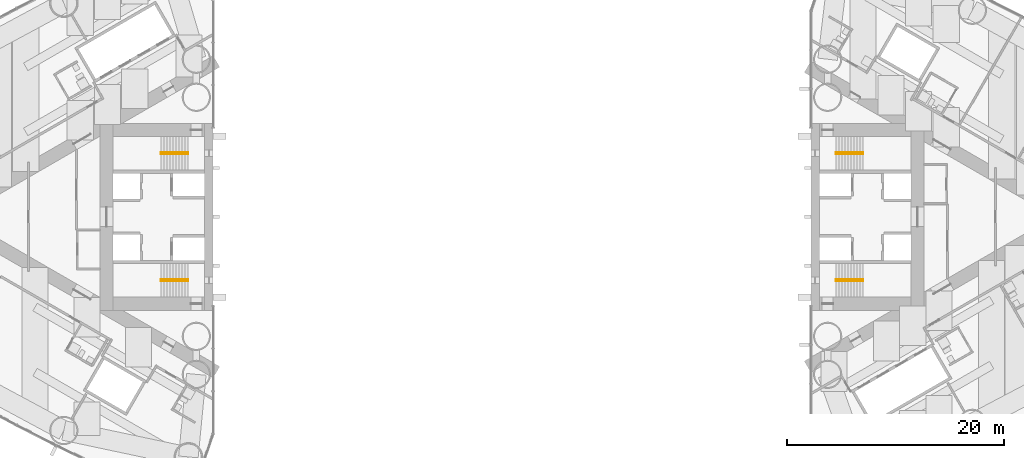
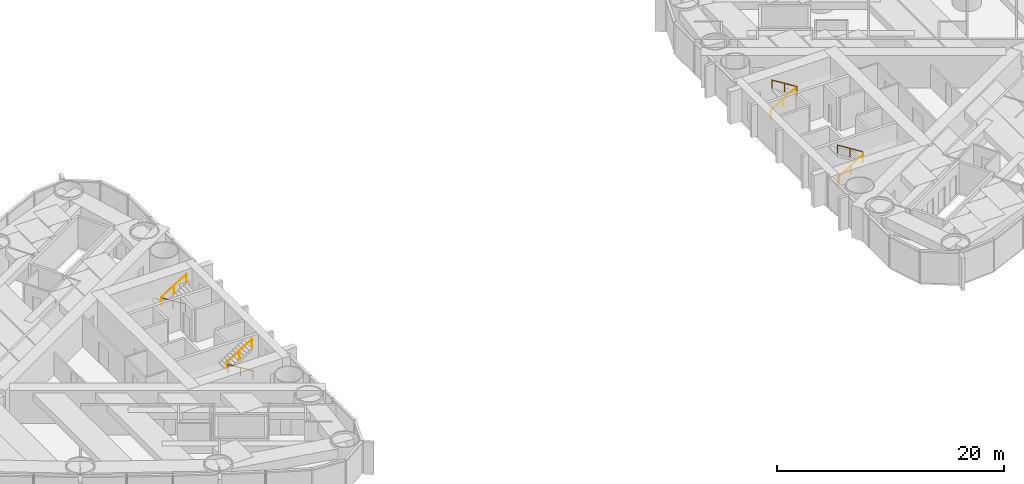
# One storey, part 18 of 19: 8 railings.
"""IFC4 building model written with IfcOpenShell, lengths in metres."""

import ifcopenshell
import ifcopenshell.guid

model = None  # the IFC model being written
_history = None  # IfcOwnerHistory: only IFC2X3 demands one
_inside = {}  # id of a spatial element -> (the spatial element, [elements in it])
_under = {}  # id of a project, library or spatial element -> (it, [spatial elements below it])
_declared = {}  # id of a project -> (the project, [libraries it declares])
_typed = {}  # id of a type object -> (the type object, [elements of that type])
_made_of = {}  # id of a material, layer set ... -> (it, [elements and type objects made of it])


def new_model(schema):
    """Start an empty IFC model of exactly this schema.

    Asked for "IFC4X3", IfcOpenShell would pick the latest addendum, in which some entities
    have other attributes; the version numbers below select the first issue.
    IFC2X3 requires an IfcOwnerHistory on every rooted entity: one is made here for all.
    """
    global model, _history
    if schema == "IFC4X3":
        model = ifcopenshell.file(schema_version=(4, 3, 0, 0))
    else:
        model = ifcopenshell.file(schema=schema)
    _inside.clear()
    _under.clear()
    _declared.clear()
    _typed.clear()
    _made_of.clear()
    _history = None
    if model.schema == "IFC2X3":
        org = make("IfcOrganization", Name="unknown")
        user = make(
            "IfcPersonAndOrganization",
            ThePerson=make("IfcPerson", FamilyName="unknown"),
            TheOrganization=org,
        )
        app = make(
            "IfcApplication",
            ApplicationDeveloper=org,
            Version="unknown",
            ApplicationFullName="unknown",
            ApplicationIdentifier="unknown",
        )
        _history = make(
            "IfcOwnerHistory",
            OwningUser=user,
            OwningApplication=app,
            ChangeAction="ADDED",
            CreationDate=0,
        )
    return model


def make(cls, **values):
    """One entity of the class cls with the attributes given. An attribute that is None is left unset."""
    return model.create_entity(
        cls, **{name: value for name, value in values.items() if value is not None}
    )


def rooted(cls, **values):
    """An entity with a GlobalId (a new one), such as an element, a storey or a relation."""
    return make(cls, GlobalId=ifcopenshell.guid.new(), OwnerHistory=_history, **values)


def si_unit(unit_type, name, prefix=None):
    """IfcSIUnit, for example si_unit("LENGTHUNIT", "METRE", prefix="MILLI")."""
    return make("IfcSIUnit", UnitType=unit_type, Prefix=prefix, Name=name)


def assignment(units):
    """IfcUnitAssignment: the units of a project."""
    return None if units is None else make("IfcUnitAssignment", Units=units)


def point(xyz):
    """IfcCartesianPoint."""
    return None if xyz is None else make("IfcCartesianPoint", Coordinates=xyz)


def direction(xyz):
    """IfcDirection."""
    return None if xyz is None else make("IfcDirection", DirectionRatios=xyz)


def frame(location, z_axis=None, x_axis=None):
    """IfcAxis2Placement3D, a coordinate frame: its origin and axes. An axis left out is left unset."""
    return make(
        "IfcAxis2Placement3D",
        Location=point(location),
        Axis=direction(z_axis),
        RefDirection=direction(x_axis),
    )


def frame_2d(location, x_axis=None):
    """IfcAxis2Placement2D, a coordinate frame in the plane: its origin and x axis."""
    return make(
        "IfcAxis2Placement2D", Location=point(location), RefDirection=direction(x_axis)
    )


def origin():
    """The frame at (0, 0, 0) with its axes left unset."""
    return frame((0.0, 0.0, 0.0))


def origin_2d():
    """The frame at (0, 0) in the plane with its x axis left unset."""
    return frame_2d((0.0, 0.0))


def place(relative_to, where):
    """IfcLocalPlacement: puts the frame where relative to a parent placement (None: the world)."""
    return make(
        "IfcLocalPlacement", PlacementRelTo=relative_to, RelativePlacement=where
    )


def context(
    kind, dimensions, precision=None, world=None, true_north=None, identifier=None
):
    """IfcGeometricRepresentationContext, for example the 3D "Model" context."""
    return make(
        "IfcGeometricRepresentationContext",
        ContextIdentifier=identifier,
        ContextType=kind,
        CoordinateSpaceDimension=dimensions,
        Precision=precision,
        WorldCoordinateSystem=world,
        TrueNorth=true_north,
    )


def subcontext(parent, identifier, kind, view, scale=None):
    """IfcGeometricRepresentationSubContext, for example "Body" below "Model"."""
    return make(
        "IfcGeometricRepresentationSubContext",
        ContextIdentifier=identifier,
        ContextType=kind,
        ParentContext=parent,
        TargetScale=scale,
        TargetView=view,
    )


def project(units=None, contexts=None):
    """IfcProject with its units and contexts."""
    return rooted(
        "IfcProject",
        Name="project",
        RepresentationContexts=contexts,
        UnitsInContext=assignment(units),
    )


def spatial(cls, under=None, at=None, **own):
    """A site, building, storey or space (cls), placed at a placement, below another one or the project."""
    s = rooted(cls, ObjectPlacement=at, **own)
    if under is not None:
        _under.setdefault(under.id(), (under, []))[1].append(s)
    return s


def profile(cls, at=None, kind="AREA", **sizes):
    """A parametric profile (cls). Its sizes go by their IFC names, for example OverallWidth=200.0."""
    return make(cls, ProfileType=kind, Position=at, **sizes)


def circle(**sizes):
    """IfcCircleProfileDef."""
    return profile("IfcCircleProfileDef", **sizes)


def extrude(swept, where, along, depth):
    """IfcExtrudedAreaSolid: the profile swept, set in the frame where, extruded along a direction by depth."""
    return make(
        "IfcExtrudedAreaSolid",
        SweptArea=swept,
        Position=where,
        ExtrudedDirection=direction(along),
        Depth=depth,
    )


def shape(context_of_items, identifier, shape_type, items):
    """IfcShapeRepresentation: the items that make up one representation, for example the "Body"."""
    return make(
        "IfcShapeRepresentation",
        ContextOfItems=context_of_items,
        RepresentationIdentifier=identifier,
        RepresentationType=shape_type,
        Items=items,
    )


def material(Name=None, Category=None):
    """IfcMaterial."""
    return make("IfcMaterial", Name=Name, Category=Category)


def made_of(thing, what):
    """Note that an element or type object is made of a material, layer set ...; save() writes the relation."""
    if what is not None:
        _made_of.setdefault(what.id(), (what, []))[1].append(thing)
    return thing


def type_object(cls, material=None, **own):
    """A type object (cls), such as IfcWallType, which elements share."""
    return made_of(rooted(cls, **own), material)


def element(
    cls,
    number,
    at=None,
    inside=None,
    cuts=None,
    type_object=None,
    material=None,
    context=None,
    identifier="Body",
    shape_type=None,
    held_by="IfcProductDefinitionShape",
    body=None,
    shapes=None,
    **own,
):
    """One element of the class cls, such as IfcWall. Its Tag is "e" and its number.

    at: its placement. inside: the storey or other place that contains it. cuts: it is an
    opening in that element (IfcRelVoidsElement). A single representation is given by context,
    identifier, shape_type and body (its items); several are given by shapes. held_by: the class
    of the entity that holds the representations. save() writes the other relations.
    """
    e = rooted(cls, Tag="e%d" % number, ObjectPlacement=at, **own)
    if body is not None:
        shapes = [shape(context, identifier, shape_type, body)]
    if shapes is not None:
        e.Representation = make(held_by, Representations=shapes)
    if inside is not None:
        _inside.setdefault(inside.id(), (inside, []))[1].append(e)
    if cuts is not None:
        rooted(
            "IfcRelVoidsElement", RelatingBuildingElement=cuts, RelatedOpeningElement=e
        )
    if type_object is not None:
        _typed.setdefault(type_object.id(), (type_object, []))[1].append(e)
    return made_of(e, material)


def aggregate(whole, parts):
    """IfcRelAggregates: a whole, such as a stair, and the parts it consists of."""
    return rooted("IfcRelAggregates", RelatingObject=whole, RelatedObjects=parts)


def save(model, path):
    """Write the relations noted so far, then the file.

    IfcRelAggregates (storeys below a building ...), IfcRelContainedInSpatialStructure (elements
    in a storey), IfcRelDefinesByType, IfcRelAssociatesMaterial and IfcRelDeclares: one each for
    every whole, place, type object, material and project.
    """
    for whole, parts in _under.values():
        aggregate(whole, parts)
    for where, things in _inside.values():
        rooted(
            "IfcRelContainedInSpatialStructure",
            RelatedElements=things,
            RelatingStructure=where,
        )
    for kind, things in _typed.values():
        rooted("IfcRelDefinesByType", RelatedObjects=things, RelatingType=kind)
    for what, things in _made_of.values():
        rooted("IfcRelAssociatesMaterial", RelatedObjects=things, RelatingMaterial=what)
    for by, libraries in _declared.values():
        rooted("IfcRelDeclares", RelatingContext=by, RelatedDefinitions=libraries)
    model.write(path)


model = new_model("IFC4")

# Units and contexts
model_context = context("Model", 3, precision=1e-05, world=origin(), true_north=direction((0.0, 1.0)))
body_context = subcontext(model_context, "Body", "Model", "MODEL_VIEW")
ifc_project = project(units=[si_unit("LENGTHUNIT", "METRE"), si_unit("AREAUNIT", "SQUARE_METRE"), si_unit("VOLUMEUNIT", "CUBIC_METRE"), si_unit("PLANEANGLEUNIT", "RADIAN"), si_unit("MASSUNIT", "GRAM", prefix="KILO")], contexts=[model_context])

# Site, building, storey
site_placement = place(None, origin())
site = spatial("IfcSite", under=ifc_project, at=site_placement, CompositionType="ELEMENT")
building_placement = place(site_placement, origin())
building = spatial("IfcBuilding", under=site, at=building_placement, Name="Lancet Gate Hotel", CompositionType="ELEMENT")
storey_placement = place(building_placement, frame((0.0, 0.0, 132.60009765625)))
storey = spatial("IfcBuildingStorey", under=building, at=storey_placement, Name="L35", CompositionType="ELEMENT", Elevation=132.60009765625)

# Railings
ifc_material = material(Name="Stainless steel handrail", Category="steel")
railing_type = type_object("IfcRailingType", Name="Stair handrail 900", PredefinedType="HANDRAIL", material=ifc_material)
railing_1_placement = place(storey_placement, frame((-29.800048828125, 5.929931640625, 0.1748046875)))
element("IfcRailing", 1, at=railing_1_placement, inside=storey, type_object=railing_type, Name="ST1 handrail flight 1 L35", PredefinedType="HANDRAIL", context=body_context, shape_type="SweptSolid", body=[
    extrude(circle(Radius=0.02392578125, at=origin_2d()), frame((0.0, 0.0, 0.8759765625), z_axis=(-0.847970611238, 0.0, 0.530043245855), x_axis=(0.0, -1.0, 0.0)), (0.0, 0.0, 1.0), 2.971923828125),
    extrude(circle(Radius=0.02099609375, at=origin_2d()), origin(), (0.0, 0.0, 1.0), 0.851806640625),
    extrude(circle(Radius=0.02099609375, at=origin_2d()), frame((-1.260009765625, 0.0, 0.78759765625)), (0.0, 0.0, 1.0), 0.851806640625),
    extrude(circle(Radius=0.02099609375, at=origin_2d()), frame((-2.52001953125, 0.0, 1.5751953125)), (0.0, 0.0, 1.0), 0.851806640625),
])
railing_2_placement = place(storey_placement, frame((-32.320068359375, 5.77001953125, 1.9248046875)))
element("IfcRailing", 2, at=railing_2_placement, inside=storey, type_object=railing_type, Name="ST1 handrail flight 2 L35", PredefinedType="HANDRAIL", context=body_context, shape_type="SweptSolid", body=[
    extrude(circle(Radius=0.02392578125, at=origin_2d()), frame((0.0, 0.0, 0.8759765625), z_axis=(0.847970611238, 0.0, 0.530043245855), x_axis=(0.0, 1.0, 0.0)), (0.0, 0.0, 1.0), 2.971923828125),
    extrude(circle(Radius=0.02099609375, at=origin_2d()), origin(), (0.0, 0.0, 1.0), 0.851806640625),
    extrude(circle(Radius=0.02099609375, at=origin_2d()), frame((1.260009765625, 0.0, 0.78759765625)), (0.0, 0.0, 1.0), 0.851806640625),
    extrude(circle(Radius=0.02099609375, at=origin_2d()), frame((2.52001953125, 0.0, 1.5751953125)), (0.0, 0.0, 1.0), 0.851806640625),
])
railing_3_placement = place(storey_placement, frame((-29.800048828125, -5.929931640625, 0.1748046875)))
element("IfcRailing", 3, at=railing_3_placement, inside=storey, type_object=railing_type, Name="ST2 handrail flight 1 L35", PredefinedType="HANDRAIL", context=body_context, shape_type="SweptSolid", body=[
    extrude(circle(Radius=0.02392578125, at=origin_2d()), frame((0.0, 0.0, 0.8759765625), z_axis=(-0.847970611238, 0.0, 0.530043245855), x_axis=(0.0, -1.0, 0.0)), (0.0, 0.0, 1.0), 2.971923828125),
    extrude(circle(Radius=0.02099609375, at=origin_2d()), origin(), (0.0, 0.0, 1.0), 0.851806640625),
    extrude(circle(Radius=0.02099609375, at=origin_2d()), frame((-1.260009765625, 0.0, 0.78759765625)), (0.0, 0.0, 1.0), 0.851806640625),
    extrude(circle(Radius=0.02099609375, at=origin_2d()), frame((-2.52001953125, 0.0, 1.5751953125)), (0.0, 0.0, 1.0), 0.851806640625),
])
for number, where, name in (
    (4, (-32.320068359375, -5.77001953125, 1.9248046875), "ST2 handrail flight 2 L35"),
    (5, (29.800048828125, -5.929931640625, 0.1748046875), "ST3 handrail flight 1 L35"),
):
    element("IfcRailing", number, at=place(storey_placement, frame(where)), inside=storey, type_object=railing_type, Name=name, PredefinedType="HANDRAIL", context=body_context, shape_type="SweptSolid", body=[
        extrude(circle(Radius=0.02392578125, at=origin_2d()), frame((0.0, 0.0, 0.8759765625), z_axis=(0.847970611238, 0.0, 0.530043245855), x_axis=(0.0, 1.0, 0.0)), (0.0, 0.0, 1.0), 2.971923828125),
        extrude(circle(Radius=0.02099609375, at=origin_2d()), origin(), (0.0, 0.0, 1.0), 0.851806640625),
        extrude(circle(Radius=0.02099609375, at=origin_2d()), frame((1.260009765625, 0.0, 0.78759765625)), (0.0, 0.0, 1.0), 0.851806640625),
        extrude(circle(Radius=0.02099609375, at=origin_2d()), frame((2.52001953125, 0.0, 1.5751953125)), (0.0, 0.0, 1.0), 0.851806640625),
    ])
railing_4_placement = place(storey_placement, frame((32.320068359375, -5.77001953125, 1.9248046875)))
element("IfcRailing", 6, at=railing_4_placement, inside=storey, type_object=railing_type, Name="ST3 handrail flight 2 L35", PredefinedType="HANDRAIL", context=body_context, shape_type="SweptSolid", body=[
    extrude(circle(Radius=0.02392578125, at=origin_2d()), frame((0.0, 0.0, 0.8759765625), z_axis=(-0.847970611238, 0.0, 0.530043245855), x_axis=(0.0, -1.0, 0.0)), (0.0, 0.0, 1.0), 2.971923828125),
    extrude(circle(Radius=0.02099609375, at=origin_2d()), origin(), (0.0, 0.0, 1.0), 0.851806640625),
    extrude(circle(Radius=0.02099609375, at=origin_2d()), frame((-1.260009765625, 0.0, 0.78759765625)), (0.0, 0.0, 1.0), 0.851806640625),
    extrude(circle(Radius=0.02099609375, at=origin_2d()), frame((-2.52001953125, 0.0, 1.5751953125)), (0.0, 0.0, 1.0), 0.851806640625),
])
railing_5_placement = place(storey_placement, frame((29.800048828125, 5.929931640625, 0.1748046875)))
element("IfcRailing", 7, at=railing_5_placement, inside=storey, type_object=railing_type, Name="ST4 handrail flight 1 L35", PredefinedType="HANDRAIL", context=body_context, shape_type="SweptSolid", body=[
    extrude(circle(Radius=0.02392578125, at=origin_2d()), frame((0.0, 0.0, 0.8759765625), z_axis=(0.847970611238, 0.0, 0.530043245855), x_axis=(0.0, 1.0, 0.0)), (0.0, 0.0, 1.0), 2.971923828125),
    extrude(circle(Radius=0.02099609375, at=origin_2d()), origin(), (0.0, 0.0, 1.0), 0.851806640625),
    extrude(circle(Radius=0.02099609375, at=origin_2d()), frame((1.260009765625, 0.0, 0.78759765625)), (0.0, 0.0, 1.0), 0.851806640625),
    extrude(circle(Radius=0.02099609375, at=origin_2d()), frame((2.52001953125, 0.0, 1.5751953125)), (0.0, 0.0, 1.0), 0.851806640625),
])
railing_6_placement = place(storey_placement, frame((32.320068359375, 5.77001953125, 1.9248046875)))
element("IfcRailing", 8, at=railing_6_placement, inside=storey, type_object=railing_type, Name="ST4 handrail flight 2 L35", PredefinedType="HANDRAIL", context=body_context, shape_type="SweptSolid", body=[
    extrude(circle(Radius=0.02392578125, at=origin_2d()), frame((0.0, 0.0, 0.8759765625), z_axis=(-0.847970611238, 0.0, 0.530043245855), x_axis=(0.0, -1.0, 0.0)), (0.0, 0.0, 1.0), 2.971923828125),
    extrude(circle(Radius=0.02099609375, at=origin_2d()), origin(), (0.0, 0.0, 1.0), 0.851806640625),
    extrude(circle(Radius=0.02099609375, at=origin_2d()), frame((-1.260009765625, 0.0, 0.78759765625)), (0.0, 0.0, 1.0), 0.851806640625),
    extrude(circle(Radius=0.02099609375, at=origin_2d()), frame((-2.52001953125, 0.0, 1.5751953125)), (0.0, 0.0, 1.0), 0.851806640625),
])

save(model, "model.ifc")
